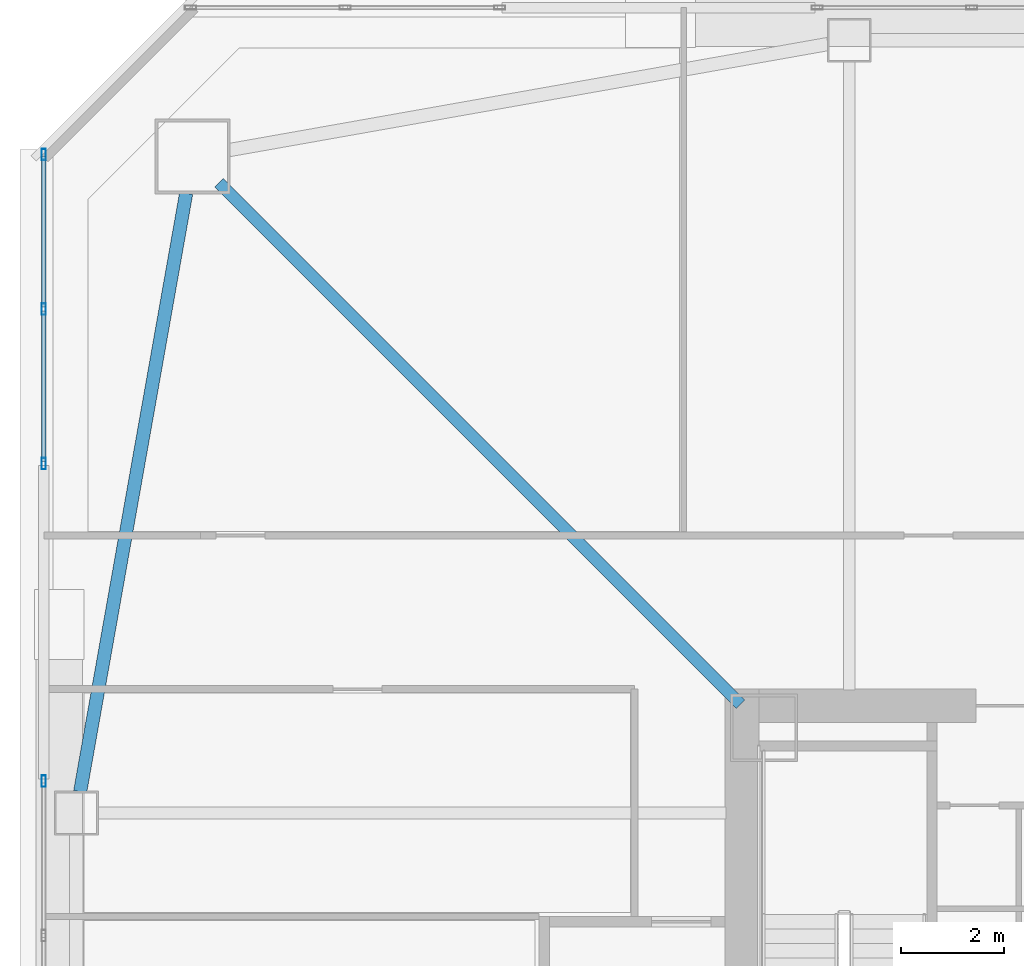
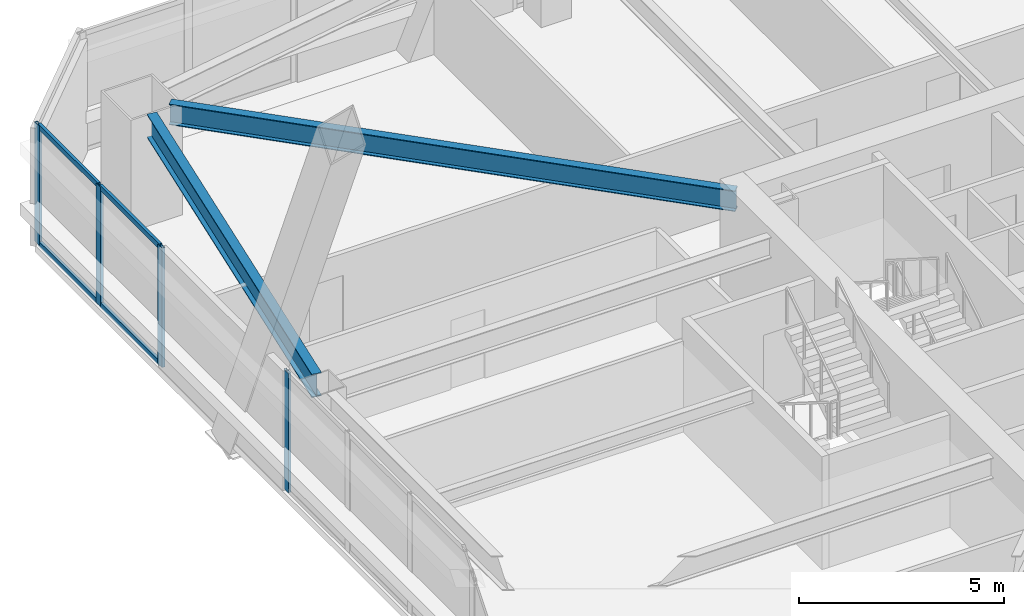
# One storey, part 15 of 54: 8 members, 2 beams, 2 elements without a shape of their own.
"""IFC4 building model written with IfcOpenShell, lengths in metres."""

from ifc_helpers import new_model, si_unit, direction, frame, origin, origin_2d, place, context, subcontext, project, spatial, hollow_rectangle, i_section, extrude, material, material_profile, profile_set, type_object, element, aggregate, save


model = new_model("IFC4")

# Units and contexts
model_context = context("Model", 3, precision=1e-05, world=origin(), true_north=direction((0.0, 1.0)))
body_context = subcontext(model_context, "Body", "Model", "MODEL_VIEW")
ifc_project = project(units=[si_unit("LENGTHUNIT", "METRE"), si_unit("AREAUNIT", "SQUARE_METRE"), si_unit("VOLUMEUNIT", "CUBIC_METRE"), si_unit("PLANEANGLEUNIT", "RADIAN"), si_unit("MASSUNIT", "GRAM", prefix="KILO")], contexts=[model_context])

# Site, building, storey
site_placement = place(None, origin())
site = spatial("IfcSite", under=ifc_project, at=site_placement, CompositionType="ELEMENT")
building_placement = place(site_placement, origin())
building = spatial("IfcBuilding", under=site, at=building_placement, Name="Tashvorn Skyway Center", CompositionType="ELEMENT")
storey_placement = place(building_placement, frame((0.0, 0.0, 88.5)))
storey = spatial("IfcBuildingStorey", under=building, at=storey_placement, Name="L23", CompositionType="ELEMENT", Elevation=88.5)

# Beams
ifc_material_1 = material(Name="Steel ASTM A992 Grade 50", Category="steel")
ifc_material_profile_1 = material_profile(ifc_material_1, i_section(OverallWidth=0.22998046875, OverallDepth=0.616943359375, WebThickness=0.01318359375, FlangeThickness=0.022216796875, at=origin_2d()), Name="W24X94")
ifc_profile_set_1 = profile_set([ifc_material_profile_1], Name="Steel ASTM A992 Grade 50")
beam_type_1 = type_object("IfcBeamType", Name="BM-BEAM-W24X94", PredefinedType="BEAM", material=ifc_profile_set_1)
beam_1_placement = place(storey_placement, frame((24.4091796875, 49.5908203125, 3.04150390625), z_axis=(0.707106781187, -0.707106781187, 0.0), x_axis=(0.707106781187, 0.707106781187, 0.0)))
element("IfcBeam", 1, at=beam_1_placement, inside=storey, type_object=beam_type_1, Name="Tower 1 L23 Primary Floor Girder MC-NW", PredefinedType="BEAM", context=body_context, shape_type="SweptSolid", body=[
    extrude(i_section(OverallWidth=0.22998046875, OverallDepth=0.616943359375, WebThickness=0.01318359375, FlangeThickness=0.022216796875, at=origin_2d()), origin(), (0.0, 0.0, 1.0), 14.261962890625),
])
ifc_material_profile_2 = material_profile(ifc_material_1, i_section(OverallWidth=0.256103515625, OverallDepth=0.693115234375, WebThickness=0.014404296875, FlangeThickness=0.023681640625, at=origin_2d()), Name="W27X114")
ifc_profile_set_2 = profile_set([ifc_material_profile_2], Name="Steel ASTM A992 Grade 50")
beam_type_2 = type_object("IfcBeamType", Name="BM-SPANDREL-W27X114", PredefinedType="SPANDREL", material=ifc_profile_set_2)
beam_2_placement = place(storey_placement, frame((23.7744140625, 49.39111328125, 3.00341796875), z_axis=(-0.174437966698, -0.98466816531, 0.0), x_axis=(0.98466816531, -0.174437966698, 0.0)))
element("IfcBeam", 2, at=beam_2_placement, inside=storey, type_object=beam_type_2, Name="Tower 1 L23 Spandrel Beam 10", PredefinedType="SPANDREL", context=body_context, shape_type="SweptSolid", body=[
    extrude(i_section(OverallWidth=0.256103515625, OverallDepth=0.693115234375, WebThickness=0.014404296875, FlangeThickness=0.023681640625, at=origin_2d()), origin(), (0.0, 0.0, 1.0), 11.7578125),
])

# Curtain wall, member
ifc_material_2 = material(Name="Thermally broken bronze-anodized aluminium 6063-T6", Category="aluminium")
curtain_wall_type = type_object("IfcCurtainWallType", Name="CW-CW-Z2", PredefinedType="NOTDEFINED", material=ifc_material_2)
curtain_wall_1_placement = place(storey_placement, origin())
curtain_wall_1 = element("IfcCurtainWall", 3, at=curtain_wall_1_placement, inside=storey, type_object=curtain_wall_type, Name="Tower 1 L23 West Unitised Curtain Wall Glazing Group 2", PredefinedType="NOTDEFINED")
ifc_material_profile_3 = material_profile(ifc_material_2, hollow_rectangle(XDim=0.080078125, YDim=0.219970703125, WallThickness=0.0048828125, at=origin_2d()), Name="ALU-MULL-80x220")
ifc_profile_set_3 = profile_set([ifc_material_profile_3], Name="Thermally broken bronze-anodized aluminium 6063-T6")
member_type_1 = type_object("IfcMemberType", Name="CWM-CW-Z2", PredefinedType="MULLION", material=ifc_profile_set_3)
member_1_placement = place(storey_placement, frame((21.02001953125, 38.02001953125, 0.0), z_axis=(0.0, 0.0, 1.0), x_axis=(-1.0, 0.0, 0.0)))
member_1 = element("IfcMember", 4, at=member_1_placement, type_object=member_type_1, Name="CW-Z2 mullion 5", PredefinedType="MULLION", context=body_context, shape_type="SweptSolid", body=[
    extrude(hollow_rectangle(XDim=0.080078125, YDim=0.219970703125, WallThickness=0.0048828125, at=origin_2d()), origin(), (0.0, 0.0, 1.0), 3.550048828125),
])
aggregate(curtain_wall_1, [member_1])

# Curtain wall, members
curtain_wall_2_placement = place(storey_placement, origin())
curtain_wall_2 = element("IfcCurtainWall", 5, at=curtain_wall_2_placement, inside=storey, type_object=curtain_wall_type, Name="Tower 1 L23 West Unitised Curtain Wall Glazing Group 3", PredefinedType="NOTDEFINED")
member_2_placement = place(storey_placement, frame((21.02001953125, 44.159912109375, 0.0), z_axis=(0.0, 0.0, 1.0), x_axis=(-1.0, 0.0, 0.0)))
member_2 = element("IfcMember", 6, at=member_2_placement, type_object=member_type_1, Name="CW-Z2 mullion 1", PredefinedType="MULLION", context=body_context, shape_type="SweptSolid", body=[
    extrude(hollow_rectangle(XDim=0.080078125, YDim=0.219970703125, WallThickness=0.0048828125, at=origin_2d()), origin(), (0.0, 0.0, 1.0), 3.550048828125),
])
member_3_placement = place(storey_placement, frame((21.02001953125, 47.14990234375, 0.0), z_axis=(0.0, 0.0, 1.0), x_axis=(-1.0, 0.0, 0.0)))
member_3 = element("IfcMember", 7, at=member_3_placement, type_object=member_type_1, Name="CW-Z2 mullion 2", PredefinedType="MULLION", context=body_context, shape_type="SweptSolid", body=[
    extrude(hollow_rectangle(XDim=0.080078125, YDim=0.219970703125, WallThickness=0.0048828125, at=origin_2d()), origin(), (0.0, 0.0, 1.0), 3.550048828125),
])
member_4_placement = place(storey_placement, frame((21.02001953125, 50.139892578125, 0.0), z_axis=(0.0, 0.0, 1.0), x_axis=(-1.0, 0.0, 0.0)))
member_4 = element("IfcMember", 8, at=member_4_placement, type_object=member_type_1, Name="CW-Z2 mullion 3", PredefinedType="MULLION", context=body_context, shape_type="SweptSolid", body=[
    extrude(hollow_rectangle(XDim=0.080078125, YDim=0.219970703125, WallThickness=0.0048828125, at=origin_2d()), origin(), (0.0, 0.0, 1.0), 3.550048828125),
])
ifc_material_profile_4 = material_profile(ifc_material_2, hollow_rectangle(XDim=0.080078125, YDim=0.14990234375, WallThickness=0.00439453125, at=origin_2d()), Name="ALU-TRAN-80x150")
ifc_profile_set_4 = profile_set([ifc_material_profile_4], Name="Thermally broken bronze-anodized aluminium 6063-T6")
member_type_2 = type_object("IfcMemberType", Name="CWT-CW-Z2", PredefinedType="USERDEFINED", material=ifc_profile_set_4)
member_5_placement = place(storey_placement, frame((21.02001953125, 44.199951171875, 0.0400390625), z_axis=(0.0, 1.0, 0.0), x_axis=(-1.0, 0.0, 0.0)))
member_5 = element("IfcMember", 9, at=member_5_placement, type_object=member_type_2, Name="CW-Z2 transom 1.1", ObjectType="TRANSOM", PredefinedType="USERDEFINED", context=body_context, shape_type="SweptSolid", body=[
    extrude(hollow_rectangle(XDim=0.080078125, YDim=0.14990234375, WallThickness=0.00439453125, at=origin_2d()), origin(), (0.0, 0.0, 1.0), 2.91015625),
])
member_6_placement = place(storey_placement, frame((21.02001953125, 44.199951171875, 3.510009765625), z_axis=(0.0, 1.0, 0.0), x_axis=(-1.0, 0.0, 0.0)))
member_6 = element("IfcMember", 10, at=member_6_placement, type_object=member_type_2, Name="CW-Z2 transom 1.2", ObjectType="TRANSOM", PredefinedType="USERDEFINED", context=body_context, shape_type="SweptSolid", body=[
    extrude(hollow_rectangle(XDim=0.080078125, YDim=0.14990234375, WallThickness=0.00439453125, at=origin_2d()), origin(), (0.0, 0.0, 1.0), 2.91015625),
])
member_7_placement = place(storey_placement, frame((21.02001953125, 47.18994140625, 0.0400390625), z_axis=(0.0, 1.0, 0.0), x_axis=(-1.0, 0.0, 0.0)))
member_7 = element("IfcMember", 11, at=member_7_placement, type_object=member_type_2, Name="CW-Z2 transom 2.1", ObjectType="TRANSOM", PredefinedType="USERDEFINED", context=body_context, shape_type="SweptSolid", body=[
    extrude(hollow_rectangle(XDim=0.080078125, YDim=0.14990234375, WallThickness=0.00439453125, at=origin_2d()), origin(), (0.0, 0.0, 1.0), 2.91015625),
])
member_8_placement = place(storey_placement, frame((21.02001953125, 47.18994140625, 3.510009765625), z_axis=(0.0, 1.0, 0.0), x_axis=(-1.0, 0.0, 0.0)))
member_8 = element("IfcMember", 12, at=member_8_placement, type_object=member_type_2, Name="CW-Z2 transom 2.2", ObjectType="TRANSOM", PredefinedType="USERDEFINED", context=body_context, shape_type="SweptSolid", body=[
    extrude(hollow_rectangle(XDim=0.080078125, YDim=0.14990234375, WallThickness=0.00439453125, at=origin_2d()), origin(), (0.0, 0.0, 1.0), 2.91015625),
])
aggregate(curtain_wall_2, [member_2, member_3, member_4, member_5, member_6, member_7, member_8])

save(model, "model.ifc")
